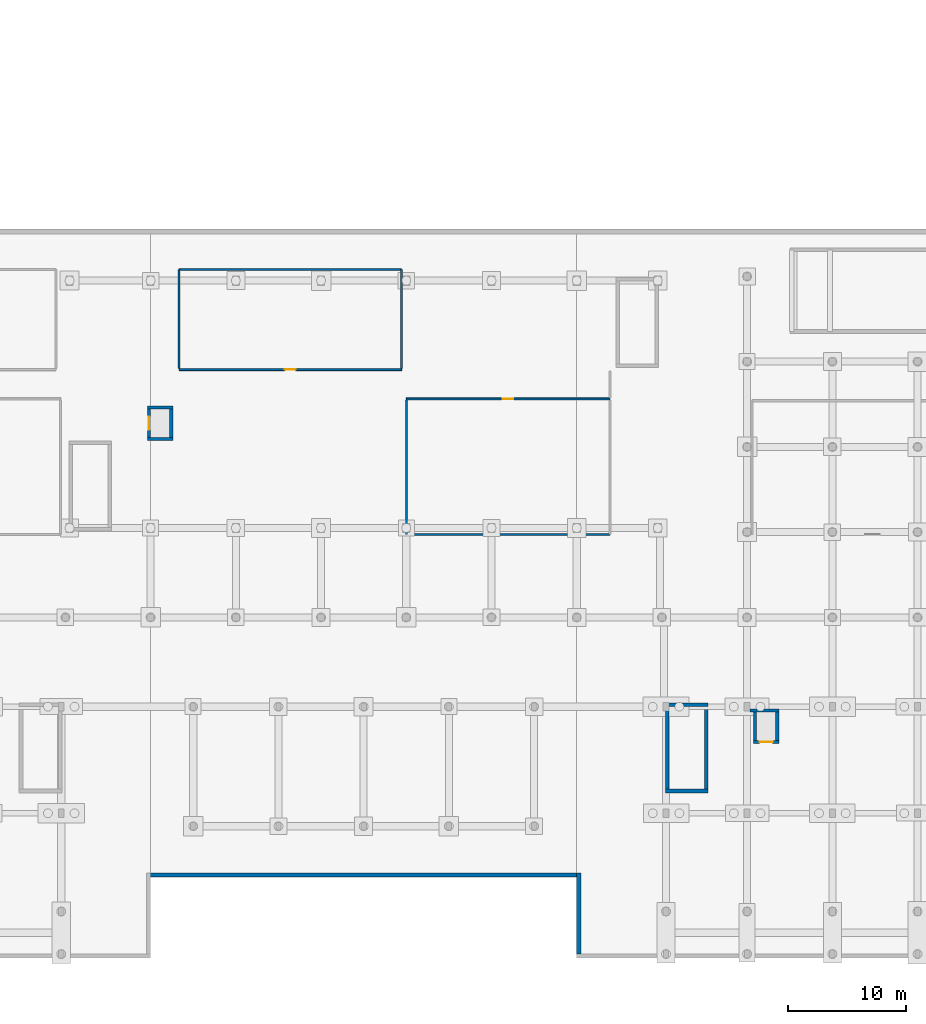
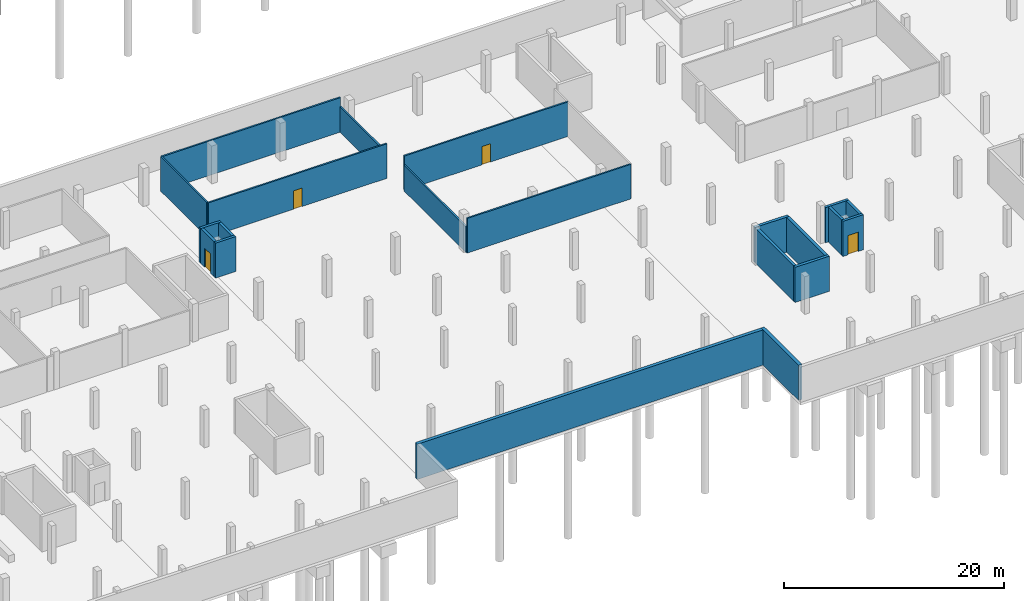
# One storey, part 20 of 36: 21 walls, 4 doors, 4 openings.
"""IFC4 building model written with IfcOpenShell, lengths in metres."""

from ifc_helpers import new_model, si_unit, derived_unit, direction, frame, frame_2d, origin, place, context, subcontext, project, spatial, rectangle, extrude, material, layer, layer_set, type_object, element, fill, save


model = new_model("IFC4")

# Units and contexts
model_context = context("Model", 3, precision=1e-05, world=origin(), true_north=direction((0.0, 1.0)))
body_context = subcontext(model_context, "Body", "Model", "MODEL_VIEW")
ifc_project = project(units=[si_unit("LENGTHUNIT", "METRE"), si_unit("AREAUNIT", "SQUARE_METRE"), si_unit("VOLUMEUNIT", "CUBIC_METRE"), si_unit("PLANEANGLEUNIT", "RADIAN"), si_unit("MASSUNIT", "GRAM", prefix="KILO"), derived_unit("THERMALTRANSMITTANCEUNIT", [(si_unit("MASSUNIT", "GRAM", prefix="KILO"), 1), (si_unit("TIMEUNIT", "SECOND"), -3), (si_unit("THERMODYNAMICTEMPERATUREUNIT", "KELVIN"), -1)])], contexts=[model_context])

# Site, building, storey
site_placement = place(None, origin())
site = spatial("IfcSite", under=ifc_project, at=site_placement, CompositionType="ELEMENT")
building_placement = place(site_placement, origin())
building = spatial("IfcBuilding", under=site, at=building_placement, Name="Ochrekiln Boulevard Commons", CompositionType="ELEMENT")
storey_placement = place(building_placement, frame((0.0, 0.0, -4.199951171875)))
storey = spatial("IfcBuildingStorey", under=building, at=storey_placement, Name="B1", CompositionType="ELEMENT", Elevation=-4.199951171875)

# Walls
ifc_material_1 = material(Name="Concrete C35/45", Category="concrete")
ifc_layer_1 = layer(ifc_material_1, 0.35009765625)
ifc_layer_set_1 = layer_set([ifc_layer_1], Name="Concrete C35/45")
wall_type_1 = type_object("IfcWallType", Name="WL-B1-RET-350", PredefinedType="SOLIDWALL", material=ifc_layer_set_1)
wall_1_placement = place(storey_placement, frame((100.97509765625, 0.35009765625, 0.0), z_axis=(0.0, 0.0, 1.0), x_axis=(0.0, 1.0, 0.0)))
element("IfcWall", 1, at=wall_1_placement, inside=storey, type_object=wall_type_1, Name="B1 Perimeter Retaining Wall B1-NE-SIDE", PredefinedType="SOLIDWALL", context=body_context, shape_type="SweptSolid", body=[
    extrude(rectangle(XDim=6.849853515625, YDim=0.35009765625, at=frame_2d((3.4248046875, 0.0))), origin(), (0.0, 0.0, 1.0), 3.919921875),
])
wall_2_placement = place(storey_placement, frame((64.449951171875, 7.02490234375, 0.0), z_axis=(0.0, 0.0, 1.0), x_axis=(1.0, 0.0, 0.0)))
element("IfcWall", 2, at=wall_2_placement, inside=storey, type_object=wall_type_1, Name="B1 Perimeter Retaining Wall B1-NMID", PredefinedType="SOLIDWALL", context=body_context, shape_type="SweptSolid", body=[
    extrude(rectangle(XDim=36.699951171875, YDim=0.35009765625, at=frame_2d((18.35009765625, 0.0))), origin(), (0.0, 0.0, 1.0), 3.919921875),
])
ifc_material_2 = material(Name="Fire-rated Type X gypsum board on steel studs", Category="steel")
ifc_layer_2 = layer(ifc_material_2, 0.169921875)
ifc_layer_set_2 = layer_set([ifc_layer_2], Name="Fire-rated Type X gypsum board on steel studs")
wall_type_2 = type_object("IfcWallType", Name="WL-PT-CIV-170", PredefinedType="PARTITIONING", material=ifc_layer_set_2)
wall_3_placement = place(storey_placement, frame((86.39990234375, 35.800048828125, 0.0), z_axis=(0.0, 0.0, 1.0), x_axis=(1.0, 0.0, 0.0)))
element("IfcWall", 3, at=wall_3_placement, inside=storey, type_object=wall_type_2, Name="B1 Interior Wall W-PV170", PredefinedType="PARTITIONING", context=body_context, shape_type="SweptSolid", body=[
    extrude(rectangle(XDim=17.2001953125, YDim=0.169921875, at=frame_2d((8.60009765625, 0.0))), origin(), (0.0, 0.0, 1.0), 3.83984375),
])
wall_4_placement = place(storey_placement, frame((86.39990234375, 35.800048828125, 0.0), z_axis=(0.0, 0.0, 1.0), x_axis=(0.0, 1.0, 0.0)))
element("IfcWall", 4, at=wall_4_placement, inside=storey, type_object=wall_type_2, Name="B1 Interior Wall W-PV170", PredefinedType="PARTITIONING", context=body_context, shape_type="SweptSolid", body=[
    extrude(rectangle(XDim=11.366943359375, YDim=0.169921875, at=frame_2d((5.68359375, 0.0))), origin(), (0.0, 0.0, 1.0), 2.849853515625),
])
wall_5_placement = place(storey_placement, frame((67.199951171875, 58.199951171875, 0.0), z_axis=(0.0, 0.0, 1.0), x_axis=(1.0, 0.0, 0.0)))
element("IfcWall", 5, at=wall_5_placement, inside=storey, type_object=wall_type_2, Name="B1 Interior Wall W-PV170", PredefinedType="PARTITIONING", context=body_context, shape_type="SweptSolid", body=[
    extrude(rectangle(XDim=18.800048828125, YDim=0.169921875, at=frame_2d((9.39990234375, 0.0))), origin(), (0.0, 0.0, 1.0), 3.83984375),
])
wall_6_placement = place(storey_placement, frame((67.199951171875, 49.80810546875, 0.0), z_axis=(0.0, 0.0, 1.0), x_axis=(0.0, 1.0, 0.0)))
element("IfcWall", 6, at=wall_6_placement, inside=storey, type_object=wall_type_2, Name="B1 Interior Wall W-PV170", PredefinedType="PARTITIONING", context=body_context, shape_type="SweptSolid", body=[
    extrude(rectangle(XDim=8.391845703125, YDim=0.169921875, at=frame_2d((4.19580078125, 0.0))), origin(), (0.0, 0.0, 1.0), 3.83984375),
])
wall_7_placement = place(storey_placement, frame((86.0, 49.80810546875, 0.0), z_axis=(0.0, 0.0, 1.0), x_axis=(0.0, 1.0, 0.0)))
element("IfcWall", 7, at=wall_7_placement, inside=storey, type_object=wall_type_2, Name="B1 Interior Wall W-PV170", PredefinedType="PARTITIONING", context=body_context, shape_type="SweptSolid", body=[
    extrude(rectangle(XDim=8.391845703125, YDim=0.169921875, at=frame_2d((4.19580078125, 0.0))), origin(), (0.0, 0.0, 1.0), 2.849853515625),
])

# Wall, opening, door
ifc_layer_3 = layer(ifc_material_2, 0.1650390625)
ifc_layer_set_3 = layer_set([ifc_layer_3], Name="Fire-rated Type X gypsum board on steel studs")
wall_type_3 = type_object("IfcWallType", Name="WL-PT-CORR-165", PredefinedType="PARTITIONING", material=ifc_layer_set_3)
wall_8_placement = place(storey_placement, frame((86.39990234375, 47.25, 0.0), z_axis=(0.0, 0.0, 1.0), x_axis=(1.0, 0.0, 0.0)))
wall_8 = element("IfcWall", 8, at=wall_8_placement, inside=storey, type_object=wall_type_3, Name="B1 Interior Wall W-PC165", PredefinedType="PARTITIONING", context=body_context, shape_type="SweptSolid", body=[
    extrude(rectangle(XDim=17.2001953125, YDim=0.1650390625, at=frame_2d((8.60009765625, 0.0))), origin(), (0.0, 0.0, 1.0), 3.83984375),
])
opening_1_placement = place(wall_8_placement, frame((8.139892578125, 0.0, 0.0)))
opening_1 = element("IfcOpeningElement", 9, at=opening_1_placement, cuts=wall_8, Name="Opening D-B1-1379", PredefinedType="OPENING", context=body_context, shape_type="SweptSolid", body=[
    extrude(rectangle(XDim=0.919921875, YDim=2.0400390625, at=frame_2d((0.4599609375, 1.02001953125))), frame((0.0, 0.092529296875, 0.0), z_axis=(0.0, -1.0, 0.0), x_axis=(1.0, 0.0, 0.0)), (0.0, 0.0, 1.0), 0.18505859375),
])
ifc_material_3 = material(Name="Hollow metal fire-rated steel door assembly", Category="steel")
door_type_1 = type_object("IfcDoorType", Name="DR-SRV-90", OperationType="NOTDEFINED", PredefinedType="DOOR", material=ifc_material_3)
door_1_placement = place(opening_1_placement, frame((0.919921875, 0.0, 0.0), z_axis=(0.0, 0.0, 1.0), x_axis=(-1.0, 0.0, 0.0)))
door_1 = element("IfcDoor", 10, at=door_1_placement, inside=storey, type_object=door_type_1, Name="B1 Interior Door to Fire Pump and Water Reserve Tank Room", OperationType="SINGLE_SWING_LEFT", OverallHeight=2.0400390625, OverallWidth=0.919921875, PredefinedType="DOOR", context=body_context, shape_type="SweptSolid", body=[
    extrude(rectangle(XDim=0.919921875, YDim=2.0400390625, at=frame_2d((0.4599609375, 1.02001953125))), frame((0.0, 0.02490234375, 0.0), z_axis=(0.0, -1.0, 0.0), x_axis=(1.0, 0.0, 0.0)), (0.0, 0.0, 1.0), 0.050048828125),
])
fill(opening_1, door_1)

wall_9_placement = place(storey_placement, frame((67.199951171875, 49.72509765625, 0.0), z_axis=(0.0, 0.0, 1.0), x_axis=(1.0, 0.0, 0.0)))
wall_9 = element("IfcWall", 11, at=wall_9_placement, inside=storey, type_object=wall_type_3, Name="B1 Interior Wall W-PC165", PredefinedType="PARTITIONING", context=body_context, shape_type="SweptSolid", body=[
    extrude(rectangle(XDim=18.800048828125, YDim=0.1650390625, at=frame_2d((9.39990234375, 0.0))), origin(), (0.0, 0.0, 1.0), 3.83984375),
])
opening_2_placement = place(wall_9_placement, frame((8.93994140625, 0.0, 0.0)))
opening_2 = element("IfcOpeningElement", 12, at=opening_2_placement, cuts=wall_9, Name="Opening D-B1-1381", PredefinedType="OPENING", context=body_context, shape_type="SweptSolid", body=[
    extrude(rectangle(XDim=0.919921875, YDim=2.0400390625, at=frame_2d((0.4599609375, 1.02001953125))), frame((0.0, 0.092529296875, 0.0), z_axis=(0.0, -1.0, 0.0), x_axis=(1.0, 0.0, 0.0)), (0.0, 0.0, 1.0), 0.18505859375),
])
door_2_placement = place(opening_2_placement, origin())
door_2 = element("IfcDoor", 13, at=door_2_placement, inside=storey, type_object=door_type_1, Name="B1 Interior Door to Community Hall Storage and Archive Room", OperationType="SINGLE_SWING_LEFT", OverallHeight=2.0400390625, OverallWidth=0.919921875, PredefinedType="DOOR", context=body_context, shape_type="SweptSolid", body=[
    extrude(rectangle(XDim=0.919921875, YDim=2.0400390625, at=frame_2d((0.4599609375, 1.02001953125))), frame((0.0, 0.02490234375, 0.0), z_axis=(0.0, -1.0, 0.0), x_axis=(1.0, 0.0, 0.0)), (0.0, 0.0, 1.0), 0.050048828125),
])
fill(opening_2, door_2)

# Walls
ifc_material_4 = material(Name="Concrete C40/50", Category="concrete")
ifc_layer_4 = layer(ifc_material_4, 0.27490234375)
ifc_layer_set_4 = layer_set([ifc_layer_4], Name="Concrete C40/50")
wall_type_4 = type_object("IfcWallType", Name="WL-SH-275", PredefinedType="SHEAR", material=ifc_layer_set_4)
for number, where, z_axis, x_axis, name in (
    (14, (64.52490234375, 43.862548828125, 0.0), (0.0, 0.0, 1.0), (1.0, 0.0, 0.0), "Elevator LP-H1 B1 Hoistway Shear Wall"),
    (15, (64.52490234375, 46.53759765625, 0.0), (0.0, 0.0, 1.0), (1.0, 0.0, 0.0), "Elevator LP-H1 B1 Hoistway Shear Wall"),
):
    element("IfcWall", number, at=place(storey_placement, frame(where, z_axis=z_axis, x_axis=x_axis)), inside=storey, type_object=wall_type_4, Name=name, PredefinedType="SHEAR", context=body_context, shape_type="SweptSolid", body=[
        extrude(rectangle(XDim=2.150146484375, YDim=0.27490234375, at=frame_2d((1.0751953125, 0.0))), origin(), (0.0, 0.0, 1.0), 3.8798828125),
    ])

# Wall, opening, door
wall_10_placement = place(storey_placement, frame((64.66259765625, 44.0, 0.0), z_axis=(0.0, 0.0, 1.0), x_axis=(0.0, 1.0, 0.0)))
wall_10 = element("IfcWall", 16, at=wall_10_placement, inside=storey, type_object=wall_type_4, Name="Elevator LP-H1 B1 Hoistway Shear Wall", PredefinedType="SHEAR", context=body_context, shape_type="SweptSolid", body=[
    extrude(rectangle(XDim=2.39990234375, YDim=0.27490234375, at=frame_2d((1.199951171875, 0.0))), origin(), (0.0, 0.0, 1.0), 3.8798828125),
])
opening_3_placement = place(wall_10_placement, frame((0.64990234375, 0.0, 0.0)))
opening_3 = element("IfcOpeningElement", 17, at=opening_3_placement, cuts=wall_10, Name="Opening LD-LP-H1-B1", PredefinedType="OPENING", context=body_context, shape_type="SweptSolid", body=[
    extrude(rectangle(XDim=1.10009765625, YDim=2.14990234375, at=frame_2d((0.550048828125, 1.074951171875))), frame((0.0, 0.1474609375, 0.0), z_axis=(0.0, -1.0, 0.0), x_axis=(1.0, 0.0, 0.0)), (0.0, 0.0, 1.0), 0.294921875),
])
ifc_material_5 = material(Name="Brushed stainless steel 316 elevator cab and doors", Category="steel")
door_type_2 = type_object("IfcDoorType", Name="DR-LIFT-LD90", OperationType="SLIDING_TO_LEFT", PredefinedType="DOOR", material=ifc_material_5)
door_3_placement = place(opening_3_placement, origin())
door_3 = element("IfcDoor", 18, at=door_3_placement, inside=storey, type_object=door_type_2, Name="Elevator LP-H1 B1 Sliding Landing Door LD-LP-H1-B1", OperationType="SLIDING_TO_LEFT", OverallHeight=2.14990234375, OverallWidth=1.10009765625, PredefinedType="DOOR", context=body_context, shape_type="SweptSolid", body=[
    extrude(rectangle(XDim=1.10009765625, YDim=2.14990234375, at=frame_2d((0.550048828125, 1.074951171875))), frame((0.0, 0.02490234375, 0.0), z_axis=(0.0, -1.0, 0.0), x_axis=(1.0, 0.0, 0.0)), (0.0, 0.0, 1.0), 0.050048828125),
])
fill(opening_3, door_3)

# Wall
wall_11_placement = place(storey_placement, frame((66.53759765625, 44.0, 0.0), z_axis=(0.0, 0.0, 1.0), x_axis=(0.0, 1.0, 0.0)))
element("IfcWall", 19, at=wall_11_placement, inside=storey, type_object=wall_type_4, Name="Elevator LP-H1 B1 Hoistway Shear Wall", PredefinedType="SHEAR", context=body_context, shape_type="SweptSolid", body=[
    extrude(rectangle(XDim=2.39990234375, YDim=0.27490234375, at=frame_2d((1.199951171875, 0.0))), origin(), (0.0, 0.0, 1.0), 3.8798828125),
])

# Wall, opening, door
wall_12_placement = place(storey_placement, frame((115.72509765625, 18.262451171875, 0.0), z_axis=(0.0, 0.0, 1.0), x_axis=(1.0, 0.0, 0.0)))
wall_12 = element("IfcWall", 20, at=wall_12_placement, inside=storey, type_object=wall_type_4, Name="Elevator LP-S2 B1 Hoistway Shear Wall", PredefinedType="SHEAR", context=body_context, shape_type="SweptSolid", body=[
    extrude(rectangle(XDim=2.14990234375, YDim=0.27490234375, at=frame_2d((1.074951171875, 0.0))), origin(), (0.0, 0.0, 1.0), 3.909912109375),
])
opening_4_placement = place(wall_12_placement, frame((0.52490234375, 0.0, 0.0)))
opening_4 = element("IfcOpeningElement", 21, at=opening_4_placement, cuts=wall_12, Name="Opening LD-LP-S2-B1", PredefinedType="OPENING", context=body_context, shape_type="SweptSolid", body=[
    extrude(rectangle(XDim=1.10009765625, YDim=2.14990234375, at=frame_2d((0.550048828125, 1.074951171875))), frame((0.0, 0.1474609375, 0.0), z_axis=(0.0, -1.0, 0.0), x_axis=(1.0, 0.0, 0.0)), (0.0, 0.0, 1.0), 0.294921875),
])
door_4_placement = place(opening_4_placement, origin())
door_4 = element("IfcDoor", 22, at=door_4_placement, inside=storey, type_object=door_type_2, Name="Elevator LP-S2 B1 Sliding Landing Door LD-LP-S2-B1", OperationType="SLIDING_TO_LEFT", OverallHeight=2.14990234375, OverallWidth=1.10009765625, PredefinedType="DOOR", context=body_context, shape_type="SweptSolid", body=[
    extrude(rectangle(XDim=1.10009765625, YDim=2.14990234375, at=frame_2d((0.550048828125, 1.074951171875))), frame((0.0, 0.02490234375, 0.0), z_axis=(0.0, -1.0, 0.0), x_axis=(1.0, 0.0, 0.0)), (0.0, 0.0, 1.0), 0.050048828125),
])
fill(opening_4, door_4)

# Walls
wall_13_placement = place(storey_placement, frame((115.449951171875, 20.9375, 0.0), z_axis=(0.0, 0.0, 1.0), x_axis=(1.0, 0.0, 0.0)))
element("IfcWall", 23, at=wall_13_placement, inside=storey, type_object=wall_type_4, Name="Elevator LP-S2 B1 Hoistway Shear Wall", PredefinedType="SHEAR", context=body_context, shape_type="SweptSolid", body=[
    extrude(rectangle(XDim=2.425048828125, YDim=0.27490234375, at=frame_2d((1.21240234375, 0.0))), origin(), (0.0, 0.0, 1.0), 3.909912109375),
])
for number, where, z_axis, x_axis, name in (
    (24, (115.862548828125, 18.39990234375, 0.0), (0.0, 0.0, 1.0), (0.0, 1.0, 0.0), "Elevator LP-S2 B1 Hoistway Shear Wall"),
    (25, (117.737548828125, 18.39990234375, 0.0), (0.0, 0.0, 1.0), (0.0, 1.0, 0.0), "Elevator LP-S2 B1 Hoistway Shear Wall"),
):
    element("IfcWall", number, at=place(storey_placement, frame(where, z_axis=z_axis, x_axis=x_axis)), inside=storey, type_object=wall_type_4, Name=name, PredefinedType="SHEAR", context=body_context, shape_type="SweptSolid", body=[
        extrude(rectangle(XDim=2.400146484375, YDim=0.27490234375, at=frame_2d((1.2001953125, 0.0))), origin(), (0.0, 0.0, 1.0), 3.909912109375),
    ])
ifc_layer_5 = layer(ifc_material_4, 0.300048828125)
ifc_layer_set_5 = layer_set([ifc_layer_5], Name="Concrete C40/50")
wall_type_5 = type_object("IfcWallType", Name="WL-SH-300", PredefinedType="SHEAR", material=ifc_layer_set_5)
for number, where, z_axis, x_axis, name in (
    (26, (108.300048828125, 14.1298828125, 0.0), (0.0, 0.0, 1.0), (1.0, 0.0, 0.0), "Stair ST-E1 B1 Core Shear Wall S"),
    (27, (108.300048828125, 21.429931640625, 0.0), (0.0, 0.0, 1.0), (1.0, 0.0, 0.0), "Stair ST-E1 B1 Core Shear Wall N"),
):
    element("IfcWall", number, at=place(storey_placement, frame(where, z_axis=z_axis, x_axis=x_axis)), inside=storey, type_object=wall_type_5, Name=name, PredefinedType="SHEAR", context=body_context, shape_type="SweptSolid", body=[
        extrude(rectangle(XDim=3.599853515625, YDim=0.300048828125, at=frame_2d((1.7998046875, 0.0))), origin(), (0.0, 0.0, 1.0), 3.909912109375),
    ])
for number, where, z_axis, x_axis, name in (
    (28, (108.449951171875, 14.280029296875, 0.0), (0.0, 0.0, 1.0), (0.0, 1.0, 0.0), "Stair ST-E1 B1 Core Shear Wall W"),
    (29, (111.75, 14.280029296875, 0.0), (0.0, 0.0, 1.0), (0.0, 1.0, 0.0), "Stair ST-E1 B1 Core Shear Wall E"),
):
    element("IfcWall", number, at=place(storey_placement, frame(where, z_axis=z_axis, x_axis=x_axis)), inside=storey, type_object=wall_type_5, Name=name, PredefinedType="SHEAR", context=body_context, shape_type="SweptSolid", body=[
        extrude(rectangle(XDim=7.0, YDim=0.300048828125, at=frame_2d((3.5, 0.0))), origin(), (0.0, 0.0, 1.0), 3.909912109375),
    ])

save(model, "model.ifc")
